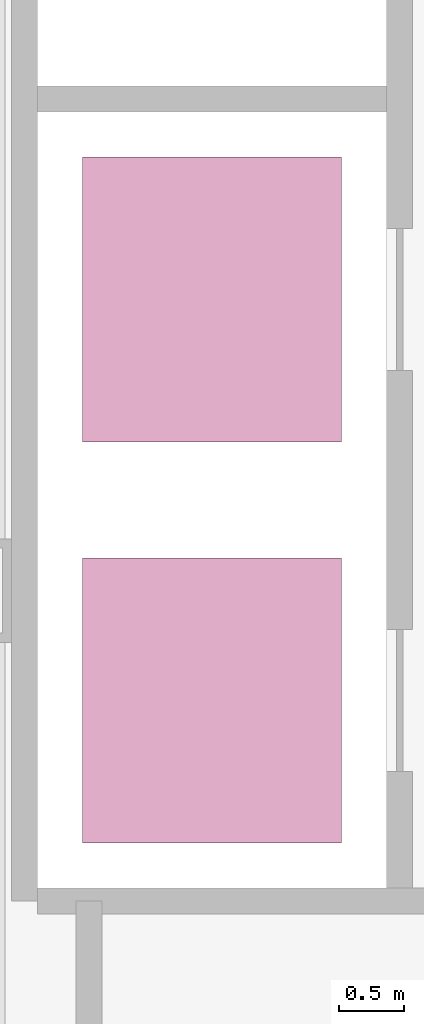
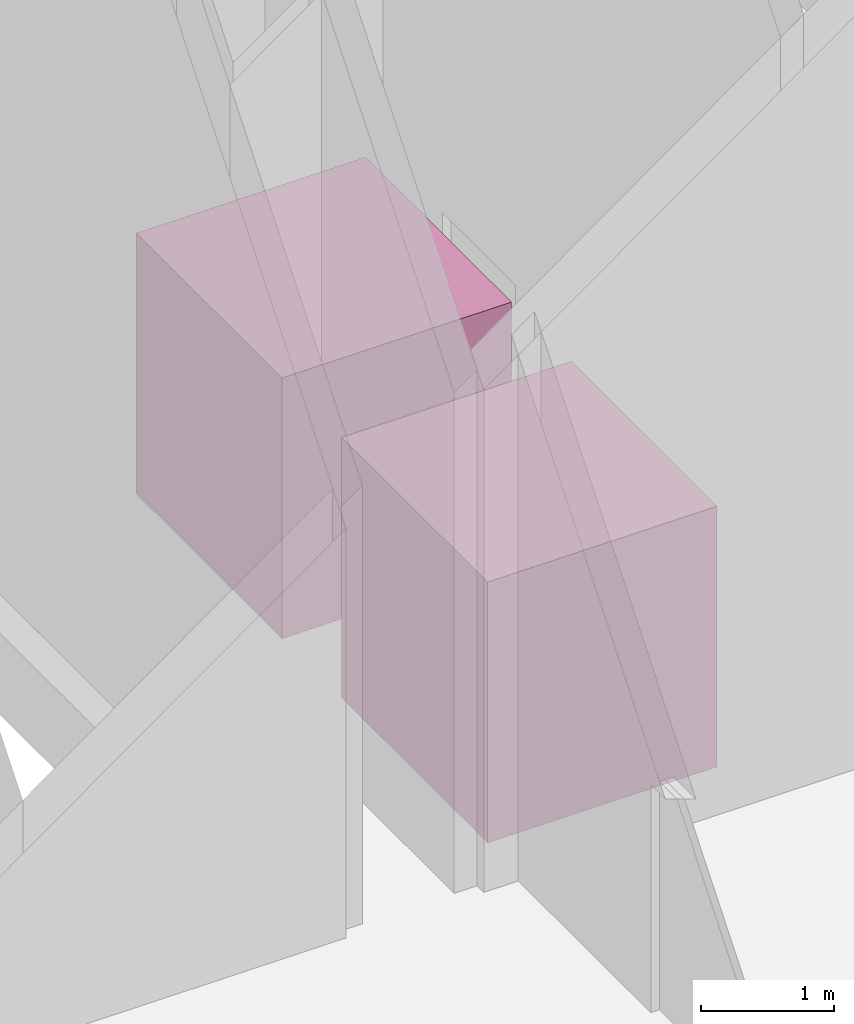
# One storey, part 22 of 22: 2 transport elements.
"""IFC4 building model written with IfcOpenShell, lengths in metres."""

from ifc_helpers import new_model, si_unit, direction, frame, origin, origin_2d, place, context, subcontext, project, spatial, rectangle, extrude, material, type_object, element, save


model = new_model("IFC4")

# Units and contexts
model_context = context("Model", 3, precision=1e-05, world=origin(), true_north=direction((0.0, 1.0)))
body_context = subcontext(model_context, "Body", "Model", "MODEL_VIEW")
ifc_project = project(units=[si_unit("LENGTHUNIT", "METRE"), si_unit("AREAUNIT", "SQUARE_METRE"), si_unit("VOLUMEUNIT", "CUBIC_METRE"), si_unit("PLANEANGLEUNIT", "RADIAN"), si_unit("MASSUNIT", "GRAM", prefix="KILO")], contexts=[model_context])

# Site, building, storey
site_placement = place(None, origin())
site = spatial("IfcSite", under=ifc_project, at=site_placement, CompositionType="ELEMENT")
building_placement = place(site_placement, origin())
building = spatial("IfcBuilding", under=site, at=building_placement, Name="Sorahane Residences", CompositionType="ELEMENT")
storey_placement = place(building_placement, origin())
storey = spatial("IfcBuildingStorey", under=building, at=storey_placement, Name="L00", CompositionType="ELEMENT", Elevation=0.0)

# Transport elements
ifc_material = material(Name="Stainless steel and glass", Category="steel")
transport_element_type = type_object("IfcTransportElementType", Name="Sky shuttle 2000 kg 2200x2000", PredefinedType="ELEVATOR", material=ifc_material)
for number, where, z_axis, x_axis, name in (
    (1, (19.949951171875, 29.14990234375, 0.0), (0.0, 0.0, 1.0), (1.0, 0.0, 0.0), "Sky shuttle SH1"),
    (2, (19.949951171875, 32.25, 0.0), (0.0, 0.0, 1.0), (1.0, 0.0, 0.0), "Sky shuttle SH2"),
):
    element("IfcTransportElement", number, at=place(storey_placement, frame(where, z_axis=z_axis, x_axis=x_axis)), inside=storey, type_object=transport_element_type, Name=name, PredefinedType="ELEVATOR", context=body_context, shape_type="SweptSolid", body=[
        extrude(rectangle(XDim=2.0, YDim=2.199951171875, at=origin_2d()), origin(), (0.0, 0.0, 1.0), 2.39990234375),
    ])

save(model, "model.ifc")
